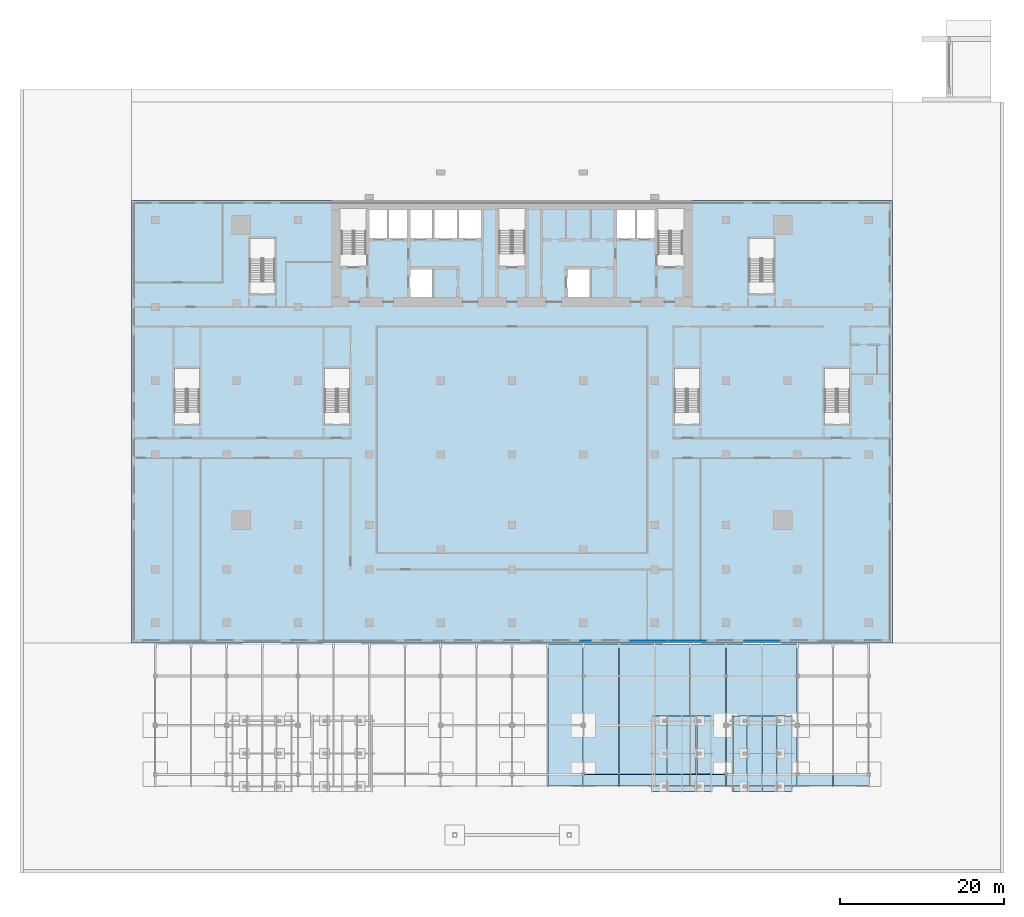
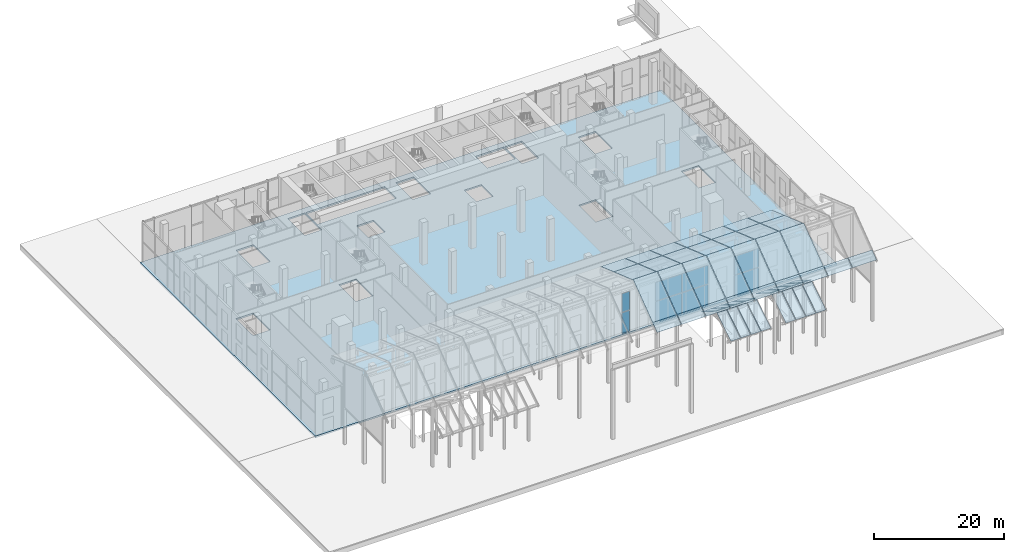
# One storey, part 18 of 31: 54 plates, 1 slab, 3 elements without a shape of their own.
"""IFC4 building model written with IfcOpenShell, lengths in metres."""

from ifc_helpers import new_model, si_unit, direction, frame, origin, origin_2d, place, context, subcontext, project, spatial, polyline, rectangle, outline, extrude, material, layer, layer_set, type_object, element, aggregate, save


model = new_model("IFC4")

# Units and contexts
model_context = context("Model", 3, precision=1e-05, world=origin(), true_north=direction((0.0, 1.0)))
body_context = subcontext(model_context, "Body", "Model", "MODEL_VIEW")
ifc_project = project(units=[si_unit("LENGTHUNIT", "METRE"), si_unit("AREAUNIT", "SQUARE_METRE"), si_unit("VOLUMEUNIT", "CUBIC_METRE"), si_unit("PLANEANGLEUNIT", "RADIAN"), si_unit("MASSUNIT", "GRAM", prefix="KILO")], contexts=[model_context])

# Site, building, storey
site_placement = place(None, origin())
site = spatial("IfcSite", under=ifc_project, at=site_placement, CompositionType="ELEMENT")
building_placement = place(site_placement, origin())
building = spatial("IfcBuilding", under=site, at=building_placement, Name="Bicima Exchange Tower", CompositionType="ELEMENT")
storey_placement = place(building_placement, origin())
storey = spatial("IfcBuildingStorey", under=building, at=storey_placement, Name="L00", CompositionType="ELEMENT", Elevation=0.0)

# Curtain wall, plates
ifc_material_1 = material(Name="Stainless steel", Category="steel")
curtain_wall_type = type_object("IfcCurtainWallType", Name="Hall structural glazing", PredefinedType="NOTDEFINED", material=ifc_material_1)
curtain_wall_1_placement = place(storey_placement, origin())
curtain_wall_1 = element("IfcCurtainWall", 1, at=curtain_wall_1_placement, inside=storey, type_object=curtain_wall_type, Name="Podium glazing L00 south 14", PredefinedType="NOTDEFINED")
ifc_material_2 = material(Name="Clear low-iron glass", Category="glass")
ifc_layer_1 = layer(ifc_material_2, 0.0439453125)
ifc_layer_set_1 = layer_set([ifc_layer_1], Name="Clear low-iron glass")
plate_type_1 = type_object("IfcPlateType", Name="Hall structural glazing glass panel 44", PredefinedType="CURTAIN_PANEL", material=ifc_layer_set_1)
plate_1_placement = place(storey_placement, frame((9.0, -53.699951171875, 0.0), z_axis=(0.0, 0.0, 1.0), x_axis=(1.0, 0.0, 0.0)))
plate_1 = element("IfcPlate", 2, at=plate_1_placement, type_object=plate_type_1, Name="Hall structural glazing panel 1.1", PredefinedType="CURTAIN_PANEL", context=body_context, shape_type="SweptSolid", body=[
    extrude(rectangle(XDim=1.340087890625, YDim=0.0439453125, at=origin_2d()), origin(), (0.0, 0.0, 1.0), 3.89990234375),
])
plate_2_placement = place(storey_placement, frame((9.0, -53.699951171875, 4.0), z_axis=(0.0, 0.0, 1.0), x_axis=(1.0, 0.0, 0.0)))
plate_2 = element("IfcPlate", 3, at=plate_2_placement, type_object=plate_type_1, Name="Hall structural glazing panel 1.2", PredefinedType="CURTAIN_PANEL", context=body_context, shape_type="SweptSolid", body=[
    extrude(rectangle(XDim=1.340087890625, YDim=0.0439453125, at=origin_2d()), origin(), (0.0, 0.0, 1.0), 3.5),
])
aggregate(curtain_wall_1, [plate_1, plate_2])

curtain_wall_2_placement = place(storey_placement, origin())
curtain_wall_2 = element("IfcCurtainWall", 4, at=curtain_wall_2_placement, inside=storey, type_object=curtain_wall_type, Name="Podium glazing L00 south 16", PredefinedType="NOTDEFINED")
plate_3_placement = place(storey_placement, frame((16.64501953125, -53.699951171875, 0.0), z_axis=(0.0, 0.0, 1.0), x_axis=(1.0, 0.0, 0.0)))
plate_3 = element("IfcPlate", 5, at=plate_3_placement, type_object=plate_type_1, Name="Hall structural glazing panel 1.1", PredefinedType="CURTAIN_PANEL", context=body_context, shape_type="SweptSolid", body=[
    extrude(rectangle(XDim=4.6298828125, YDim=0.0439453125, at=origin_2d()), origin(), (0.0, 0.0, 1.0), 3.89990234375),
])
plate_4_placement = place(storey_placement, frame((16.64501953125, -53.699951171875, 4.0), z_axis=(0.0, 0.0, 1.0), x_axis=(1.0, 0.0, 0.0)))
plate_4 = element("IfcPlate", 6, at=plate_4_placement, type_object=plate_type_1, Name="Hall structural glazing panel 1.2", PredefinedType="CURTAIN_PANEL", context=body_context, shape_type="SweptSolid", body=[
    extrude(rectangle(XDim=4.6298828125, YDim=0.0439453125, at=origin_2d()), origin(), (0.0, 0.0, 1.0), 3.5),
])
plate_5_placement = place(storey_placement, frame((21.35498046875, -53.699951171875, 0.0), z_axis=(0.0, 0.0, 1.0), x_axis=(1.0, 0.0, 0.0)))
plate_5 = element("IfcPlate", 7, at=plate_5_placement, type_object=plate_type_1, Name="Hall structural glazing panel 2.1", PredefinedType="CURTAIN_PANEL", context=body_context, shape_type="SweptSolid", body=[
    extrude(rectangle(XDim=4.6298828125, YDim=0.0439453125, at=origin_2d()), origin(), (0.0, 0.0, 1.0), 3.89990234375),
])
plate_6_placement = place(storey_placement, frame((21.35498046875, -53.699951171875, 4.0), z_axis=(0.0, 0.0, 1.0), x_axis=(1.0, 0.0, 0.0)))
plate_6 = element("IfcPlate", 8, at=plate_6_placement, type_object=plate_type_1, Name="Hall structural glazing panel 2.2", PredefinedType="CURTAIN_PANEL", context=body_context, shape_type="SweptSolid", body=[
    extrude(rectangle(XDim=4.6298828125, YDim=0.0439453125, at=origin_2d()), origin(), (0.0, 0.0, 1.0), 3.5),
])
aggregate(curtain_wall_2, [plate_3, plate_4, plate_5, plate_6])

curtain_wall_3_placement = place(storey_placement, origin())
curtain_wall_3 = element("IfcCurtainWall", 9, at=curtain_wall_3_placement, inside=storey, type_object=curtain_wall_type, Name="Podium glazing L00 south 18", PredefinedType="NOTDEFINED")
plate_7_placement = place(storey_placement, frame((30.5, -53.699951171875, 0.0), z_axis=(0.0, 0.0, 1.0), x_axis=(1.0, 0.0, 0.0)))
plate_7 = element("IfcPlate", 10, at=plate_7_placement, type_object=plate_type_1, Name="Hall structural glazing panel 1.1", PredefinedType="CURTAIN_PANEL", context=body_context, shape_type="SweptSolid", body=[
    extrude(rectangle(XDim=4.340087890625, YDim=0.0439453125, at=origin_2d()), origin(), (0.0, 0.0, 1.0), 3.89990234375),
])
plate_8_placement = place(storey_placement, frame((30.5, -53.699951171875, 4.0), z_axis=(0.0, 0.0, 1.0), x_axis=(1.0, 0.0, 0.0)))
plate_8 = element("IfcPlate", 11, at=plate_8_placement, type_object=plate_type_1, Name="Hall structural glazing panel 1.2", PredefinedType="CURTAIN_PANEL", context=body_context, shape_type="SweptSolid", body=[
    extrude(rectangle(XDim=4.340087890625, YDim=0.0439453125, at=origin_2d()), origin(), (0.0, 0.0, 1.0), 3.5),
])
aggregate(curtain_wall_3, [plate_7, plate_8])

# Plates
ifc_material_3 = material(Name="Bronze tinted glass", Category="glass")
ifc_layer_2 = layer(ifc_material_3, 0.035888671875)
ifc_layer_set_2 = layer_set([ifc_layer_2], Name="Bronze tinted glass")
plate_type_2 = type_object("IfcPlateType", Name="Portico roof glass 36", PredefinedType="SHEET", material=ifc_layer_set_2)
plate_9_placement = place(storey_placement, frame((4.389892578125, -54.10009765625, 14.251708984375), z_axis=(0.0, 0.329091475255, 0.944298046654), x_axis=(1.0, 0.0, 0.0)))
element("IfcPlate", 12, at=plate_9_placement, inside=storey, type_object=plate_type_2, Name="Portico roof glass", PredefinedType="SHEET", context=body_context, shape_type="SweptSolid", body=[
    extrude(outline(polyline([(0.0, 0.0), (4.27001953125, 0.0), (4.27001953125, -4.129948544920647), (0.0, -4.129948544920647), (0.0, 0.0)])), origin(), (0.0, 0.0, -1.0), 0.035888671875),
])
plate_10_placement = place(storey_placement, frame((4.389892578125, -58.0, 15.61083984375), z_axis=(0.0, 0.329165826501, 0.944272131678), x_axis=(1.0, 0.0, 0.0)))
element("IfcPlate", 13, at=plate_10_placement, inside=storey, type_object=plate_type_2, Name="Portico roof glass", PredefinedType="SHEET", context=body_context, shape_type="SweptSolid", body=[
    extrude(outline(polyline([(0.0, 0.0), (4.27001953125, 0.0), (4.27001953125, -6.3541004745496075), (0.0, -6.3541004745496075), (0.0, 0.0)])), origin(), (0.0, 0.0, -1.0), 0.035888671875),
])
plate_11_placement = place(storey_placement, frame((4.389892578125, -64.0, 17.82568359375), z_axis=(0.0, -0.598685075309, 0.800984507093), x_axis=(1.0, 0.0, 0.0)))
element("IfcPlate", 14, at=plate_11_placement, inside=storey, type_object=plate_type_2, Name="Portico roof glass", PredefinedType="SHEET", context=body_context, shape_type="SweptSolid", body=[
    extrude(outline(polyline([(0.0, 0.0), (4.27001953125, 0.0), (4.27001953125, -7.490781590492418), (0.0, -7.490781590492418), (0.0, 0.0)])), origin(), (0.0, 0.0, -1.0), 0.035888671875),
])
plate_12_placement = place(storey_placement, frame((4.389892578125, -70.0, 13.341064453125), z_axis=(0.0, -0.598792513657, 0.800904192515), x_axis=(1.0, 0.0, 0.0)))
element("IfcPlate", 15, at=plate_12_placement, inside=storey, type_object=plate_type_2, Name="Portico roof glass", PredefinedType="SHEET", context=body_context, shape_type="SweptSolid", body=[
    extrude(outline(polyline([(0.0, 0.0), (4.27001953125, 0.0), (4.27001953125, -1.7479023793772908), (0.0, -1.7479023793772908), (0.0, 0.0)])), origin(), (0.0, 0.0, -1.0), 0.035888671875),
])
plate_13_placement = place(storey_placement, frame((8.739990234375, -54.10009765625, 14.251708984375), z_axis=(0.0, 0.329091475255, 0.944298046654), x_axis=(1.0, 0.0, 0.0)))
element("IfcPlate", 16, at=plate_13_placement, inside=storey, type_object=plate_type_2, Name="Portico roof glass", PredefinedType="SHEET", context=body_context, shape_type="SweptSolid", body=[
    extrude(outline(polyline([(0.0, 0.0), (4.27001953125, 0.0), (4.27001953125, -4.129948544920647), (0.0, -4.129948544920647), (0.0, 0.0)])), origin(), (0.0, 0.0, -1.0), 0.035888671875),
])
plate_14_placement = place(storey_placement, frame((8.739990234375, -58.0, 15.61083984375), z_axis=(0.0, 0.329165826501, 0.944272131678), x_axis=(1.0, 0.0, 0.0)))
element("IfcPlate", 17, at=plate_14_placement, inside=storey, type_object=plate_type_2, Name="Portico roof glass", PredefinedType="SHEET", context=body_context, shape_type="SweptSolid", body=[
    extrude(outline(polyline([(0.0, 0.0), (4.27001953125, 0.0), (4.27001953125, -6.3541004745496075), (0.0, -6.3541004745496075), (0.0, 0.0)])), origin(), (0.0, 0.0, -1.0), 0.035888671875),
])
plate_15_placement = place(storey_placement, frame((8.739990234375, -64.0, 17.82568359375), z_axis=(0.0, -0.598685075309, 0.800984507093), x_axis=(1.0, 0.0, 0.0)))
element("IfcPlate", 18, at=plate_15_placement, inside=storey, type_object=plate_type_2, Name="Portico roof glass", PredefinedType="SHEET", context=body_context, shape_type="SweptSolid", body=[
    extrude(outline(polyline([(0.0, 0.0), (4.27001953125, 0.0), (4.27001953125, -7.490781590492418), (0.0, -7.490781590492418), (0.0, 0.0)])), origin(), (0.0, 0.0, -1.0), 0.035888671875),
])
plate_16_placement = place(storey_placement, frame((8.739990234375, -70.0, 13.341064453125), z_axis=(0.0, -0.598792513657, 0.800904192515), x_axis=(1.0, 0.0, 0.0)))
element("IfcPlate", 19, at=plate_16_placement, inside=storey, type_object=plate_type_2, Name="Portico roof glass", PredefinedType="SHEET", context=body_context, shape_type="SweptSolid", body=[
    extrude(outline(polyline([(0.0, 0.0), (4.27001953125, 0.0), (4.27001953125, -1.7479023793772908), (0.0, -1.7479023793772908), (0.0, 0.0)])), origin(), (0.0, 0.0, -1.0), 0.035888671875),
])
plate_17_placement = place(storey_placement, frame((13.090087890625, -54.10009765625, 14.251708984375), z_axis=(0.0, 0.329091475255, 0.944298046654), x_axis=(1.0, 0.0, 0.0)))
element("IfcPlate", 20, at=plate_17_placement, inside=storey, type_object=plate_type_2, Name="Portico roof glass", PredefinedType="SHEET", context=body_context, shape_type="SweptSolid", body=[
    extrude(outline(polyline([(0.0, 0.0), (4.27001953125, 0.0), (4.27001953125, -4.129948544920647), (0.0, -4.129948544920647), (0.0, 0.0)])), origin(), (0.0, 0.0, -1.0), 0.035888671875),
])
plate_18_placement = place(storey_placement, frame((13.090087890625, -58.0, 15.61083984375), z_axis=(0.0, 0.329165826501, 0.944272131678), x_axis=(1.0, 0.0, 0.0)))
element("IfcPlate", 21, at=plate_18_placement, inside=storey, type_object=plate_type_2, Name="Portico roof glass", PredefinedType="SHEET", context=body_context, shape_type="SweptSolid", body=[
    extrude(outline(polyline([(0.0, 0.0), (4.27001953125, 0.0), (4.27001953125, -6.3541004745496075), (0.0, -6.3541004745496075), (0.0, 0.0)])), origin(), (0.0, 0.0, -1.0), 0.035888671875),
])
plate_19_placement = place(storey_placement, frame((13.090087890625, -64.0, 17.82568359375), z_axis=(0.0, -0.598685075309, 0.800984507093), x_axis=(1.0, 0.0, 0.0)))
element("IfcPlate", 22, at=plate_19_placement, inside=storey, type_object=plate_type_2, Name="Portico roof glass", PredefinedType="SHEET", context=body_context, shape_type="SweptSolid", body=[
    extrude(outline(polyline([(0.0, 0.0), (4.27001953125, 0.0), (4.27001953125, -7.490781590492418), (0.0, -7.490781590492418), (0.0, 0.0)])), origin(), (0.0, 0.0, -1.0), 0.035888671875),
])
plate_20_placement = place(storey_placement, frame((13.090087890625, -70.0, 13.341064453125), z_axis=(0.0, -0.598792513657, 0.800904192515), x_axis=(1.0, 0.0, 0.0)))
element("IfcPlate", 23, at=plate_20_placement, inside=storey, type_object=plate_type_2, Name="Portico roof glass", PredefinedType="SHEET", context=body_context, shape_type="SweptSolid", body=[
    extrude(outline(polyline([(0.0, 0.0), (4.27001953125, 0.0), (4.27001953125, -1.7479023793772908), (0.0, -1.7479023793772908), (0.0, 0.0)])), origin(), (0.0, 0.0, -1.0), 0.035888671875),
])
plate_21_placement = place(storey_placement, frame((17.43994140625, -54.10009765625, 14.251708984375), z_axis=(0.0, 0.329091475255, 0.944298046654), x_axis=(1.0, 0.0, 0.0)))
element("IfcPlate", 24, at=plate_21_placement, inside=storey, type_object=plate_type_2, Name="Portico roof glass", PredefinedType="SHEET", context=body_context, shape_type="SweptSolid", body=[
    extrude(outline(polyline([(0.0, 0.0), (4.27001953125, 0.0), (4.27001953125, -4.129948544920647), (0.0, -4.129948544920647), (0.0, 0.0)])), origin(), (0.0, 0.0, -1.0), 0.035888671875),
])
plate_22_placement = place(storey_placement, frame((17.43994140625, -58.0, 15.61083984375), z_axis=(0.0, 0.329165826501, 0.944272131678), x_axis=(1.0, 0.0, 0.0)))
element("IfcPlate", 25, at=plate_22_placement, inside=storey, type_object=plate_type_2, Name="Portico roof glass", PredefinedType="SHEET", context=body_context, shape_type="SweptSolid", body=[
    extrude(outline(polyline([(0.0, 0.0), (4.27001953125, 0.0), (4.27001953125, -6.3541004745496075), (0.0, -6.3541004745496075), (0.0, 0.0)])), origin(), (0.0, 0.0, -1.0), 0.035888671875),
])
plate_23_placement = place(storey_placement, frame((17.43994140625, -64.0, 17.82568359375), z_axis=(0.0, -0.598685075309, 0.800984507093), x_axis=(1.0, 0.0, 0.0)))
element("IfcPlate", 26, at=plate_23_placement, inside=storey, type_object=plate_type_2, Name="Portico roof glass", PredefinedType="SHEET", context=body_context, shape_type="SweptSolid", body=[
    extrude(outline(polyline([(0.0, 0.0), (4.27001953125, 0.0), (4.27001953125, -7.490781590492418), (0.0, -7.490781590492418), (0.0, 0.0)])), origin(), (0.0, 0.0, -1.0), 0.035888671875),
])
plate_24_placement = place(storey_placement, frame((17.43994140625, -70.0, 13.341064453125), z_axis=(0.0, -0.598792513657, 0.800904192515), x_axis=(1.0, 0.0, 0.0)))
element("IfcPlate", 27, at=plate_24_placement, inside=storey, type_object=plate_type_2, Name="Portico roof glass", PredefinedType="SHEET", context=body_context, shape_type="SweptSolid", body=[
    extrude(outline(polyline([(0.0, 0.0), (4.27001953125, 0.0), (4.27001953125, -1.7479023793772908), (0.0, -1.7479023793772908), (0.0, 0.0)])), origin(), (0.0, 0.0, -1.0), 0.035888671875),
])
plate_25_placement = place(storey_placement, frame((21.7900390625, -54.10009765625, 14.251708984375), z_axis=(0.0, 0.329091475255, 0.944298046654), x_axis=(1.0, 0.0, 0.0)))
element("IfcPlate", 28, at=plate_25_placement, inside=storey, type_object=plate_type_2, Name="Portico roof glass", PredefinedType="SHEET", context=body_context, shape_type="SweptSolid", body=[
    extrude(outline(polyline([(0.0, 0.0), (4.27001953125, 0.0), (4.27001953125, -4.129948544920647), (0.0, -4.129948544920647), (0.0, 0.0)])), origin(), (0.0, 0.0, -1.0), 0.035888671875),
])
plate_26_placement = place(storey_placement, frame((21.7900390625, -58.0, 15.61083984375), z_axis=(0.0, 0.329165826501, 0.944272131678), x_axis=(1.0, 0.0, 0.0)))
element("IfcPlate", 29, at=plate_26_placement, inside=storey, type_object=plate_type_2, Name="Portico roof glass", PredefinedType="SHEET", context=body_context, shape_type="SweptSolid", body=[
    extrude(outline(polyline([(0.0, 0.0), (4.27001953125, 0.0), (4.27001953125, -6.3541004745496075), (0.0, -6.3541004745496075), (0.0, 0.0)])), origin(), (0.0, 0.0, -1.0), 0.035888671875),
])
plate_27_placement = place(storey_placement, frame((21.7900390625, -64.0, 17.82568359375), z_axis=(0.0, -0.598685075309, 0.800984507093), x_axis=(1.0, 0.0, 0.0)))
element("IfcPlate", 30, at=plate_27_placement, inside=storey, type_object=plate_type_2, Name="Portico roof glass", PredefinedType="SHEET", context=body_context, shape_type="SweptSolid", body=[
    extrude(outline(polyline([(0.0, 0.0), (4.27001953125, 0.0), (4.27001953125, -7.490781590492418), (0.0, -7.490781590492418), (0.0, 0.0)])), origin(), (0.0, 0.0, -1.0), 0.035888671875),
])
plate_28_placement = place(storey_placement, frame((21.7900390625, -70.0, 13.341064453125), z_axis=(0.0, -0.598792513657, 0.800904192515), x_axis=(1.0, 0.0, 0.0)))
element("IfcPlate", 31, at=plate_28_placement, inside=storey, type_object=plate_type_2, Name="Portico roof glass", PredefinedType="SHEET", context=body_context, shape_type="SweptSolid", body=[
    extrude(outline(polyline([(0.0, 0.0), (4.27001953125, 0.0), (4.27001953125, -1.7479023793772908), (0.0, -1.7479023793772908), (0.0, 0.0)])), origin(), (0.0, 0.0, -1.0), 0.035888671875),
])
plate_29_placement = place(storey_placement, frame((26.139892578125, -54.10009765625, 14.251708984375), z_axis=(0.0, 0.329091475255, 0.944298046654), x_axis=(1.0, 0.0, 0.0)))
element("IfcPlate", 32, at=plate_29_placement, inside=storey, type_object=plate_type_2, Name="Portico roof glass", PredefinedType="SHEET", context=body_context, shape_type="SweptSolid", body=[
    extrude(outline(polyline([(0.0, 0.0), (4.27001953125, 0.0), (4.27001953125, -4.129948544920647), (0.0, -4.129948544920647), (0.0, 0.0)])), origin(), (0.0, 0.0, -1.0), 0.035888671875),
])
plate_30_placement = place(storey_placement, frame((26.139892578125, -58.0, 15.61083984375), z_axis=(0.0, 0.329165826501, 0.944272131678), x_axis=(1.0, 0.0, 0.0)))
element("IfcPlate", 33, at=plate_30_placement, inside=storey, type_object=plate_type_2, Name="Portico roof glass", PredefinedType="SHEET", context=body_context, shape_type="SweptSolid", body=[
    extrude(outline(polyline([(0.0, 0.0), (4.27001953125, 0.0), (4.27001953125, -6.3541004745496075), (0.0, -6.3541004745496075), (0.0, 0.0)])), origin(), (0.0, 0.0, -1.0), 0.035888671875),
])
plate_31_placement = place(storey_placement, frame((26.139892578125, -64.0, 17.82568359375), z_axis=(0.0, -0.598685075309, 0.800984507093), x_axis=(1.0, 0.0, 0.0)))
element("IfcPlate", 34, at=plate_31_placement, inside=storey, type_object=plate_type_2, Name="Portico roof glass", PredefinedType="SHEET", context=body_context, shape_type="SweptSolid", body=[
    extrude(outline(polyline([(0.0, 0.0), (4.27001953125, 0.0), (4.27001953125, -7.490781590492418), (0.0, -7.490781590492418), (0.0, 0.0)])), origin(), (0.0, 0.0, -1.0), 0.035888671875),
])
plate_32_placement = place(storey_placement, frame((26.139892578125, -70.0, 13.341064453125), z_axis=(0.0, -0.598792513657, 0.800904192515), x_axis=(1.0, 0.0, 0.0)))
element("IfcPlate", 35, at=plate_32_placement, inside=storey, type_object=plate_type_2, Name="Portico roof glass", PredefinedType="SHEET", context=body_context, shape_type="SweptSolid", body=[
    extrude(outline(polyline([(0.0, 0.0), (4.27001953125, 0.0), (4.27001953125, -1.7479023793772908), (0.0, -1.7479023793772908), (0.0, 0.0)])), origin(), (0.0, 0.0, -1.0), 0.035888671875),
])
plate_33_placement = place(storey_placement, frame((30.489990234375, -54.10009765625, 14.251708984375), z_axis=(0.0, 0.329091475255, 0.944298046654), x_axis=(1.0, 0.0, 0.0)))
element("IfcPlate", 36, at=plate_33_placement, inside=storey, type_object=plate_type_2, Name="Portico roof glass", PredefinedType="SHEET", context=body_context, shape_type="SweptSolid", body=[
    extrude(outline(polyline([(0.0, 0.0), (4.27001953125, 0.0), (4.27001953125, -4.129948544920647), (0.0, -4.129948544920647), (0.0, 0.0)])), origin(), (0.0, 0.0, -1.0), 0.035888671875),
])
plate_34_placement = place(storey_placement, frame((30.489990234375, -58.0, 15.61083984375), z_axis=(0.0, 0.329165826501, 0.944272131678), x_axis=(1.0, 0.0, 0.0)))
element("IfcPlate", 37, at=plate_34_placement, inside=storey, type_object=plate_type_2, Name="Portico roof glass", PredefinedType="SHEET", context=body_context, shape_type="SweptSolid", body=[
    extrude(outline(polyline([(0.0, 0.0), (4.27001953125, 0.0), (4.27001953125, -6.3541004745496075), (0.0, -6.3541004745496075), (0.0, 0.0)])), origin(), (0.0, 0.0, -1.0), 0.035888671875),
])
plate_35_placement = place(storey_placement, frame((30.489990234375, -64.0, 17.82568359375), z_axis=(0.0, -0.598685075309, 0.800984507093), x_axis=(1.0, 0.0, 0.0)))
element("IfcPlate", 38, at=plate_35_placement, inside=storey, type_object=plate_type_2, Name="Portico roof glass", PredefinedType="SHEET", context=body_context, shape_type="SweptSolid", body=[
    extrude(outline(polyline([(0.0, 0.0), (4.27001953125, 0.0), (4.27001953125, -7.490781590492418), (0.0, -7.490781590492418), (0.0, 0.0)])), origin(), (0.0, 0.0, -1.0), 0.035888671875),
])
for number, where, z_axis, x_axis, name in (
    (39, (30.489990234375, -70.0, 13.341064453125), (0.0, -0.598792513657, 0.800904192515), (1.0, 0.0, 0.0), "Portico roof glass"),
    (40, (34.840087890625, -70.0, 13.341064453125), (0.0, -0.598792513657, 0.800904192515), (1.0, 0.0, 0.0), "Portico roof glass"),
    (41, (39.18994140625, -70.0, 13.341064453125), (0.0, -0.598792513657, 0.800904192515), (1.0, 0.0, 0.0), "Portico roof glass"),
):
    element("IfcPlate", number, at=place(storey_placement, frame(where, z_axis=z_axis, x_axis=x_axis)), inside=storey, type_object=plate_type_2, Name=name, PredefinedType="SHEET", context=body_context, shape_type="SweptSolid", body=[
        extrude(outline(polyline([(0.0, 0.0), (4.27001953125, 0.0), (4.27001953125, -1.7479023793772908), (0.0, -1.7479023793772908), (0.0, 0.0)])), origin(), (0.0, 0.0, -1.0), 0.035888671875),
    ])
plate_36_placement = place(storey_placement, frame((17.139892578125, -62.860107421875, 6.591552734375), z_axis=(0.0, 0.529937998494, 0.848036389403), x_axis=(1.0, 0.0, 0.0)))
element("IfcPlate", 42, at=plate_36_placement, inside=storey, type_object=plate_type_2, Name="Pavilion roof glass", PredefinedType="SHEET", context=body_context, shape_type="SweptSolid", body=[
    extrude(outline(polyline([(0.0, 0.0), (1.72021484375, 0.0), (1.72021484375, -5.4016674332803065), (0.0, -5.4016674332803065), (0.0, 0.0)])), origin(), (0.0, 0.0, -1.0), 0.035888671875),
])
plate_37_placement = place(storey_placement, frame((17.139892578125, -67.47900390625, 9.4541015625), z_axis=(0.0, -0.529917687164, 0.848049081616), x_axis=(1.0, 0.0, 0.0)))
element("IfcPlate", 43, at=plate_37_placement, inside=storey, type_object=plate_type_2, Name="Pavilion roof glass", PredefinedType="SHEET", context=body_context, shape_type="SweptSolid", body=[
    extrude(outline(polyline([(0.0, 0.0), (1.72021484375, 0.0), (1.72021484375, -5.40187447496381), (0.0, -5.40187447496381), (0.0, 0.0)])), origin(), (0.0, 0.0, -1.0), 0.035888671875),
])
plate_38_placement = place(storey_placement, frame((18.93994140625, -62.860107421875, 6.591552734375), z_axis=(0.0, 0.529937998494, 0.848036389403), x_axis=(1.0, 0.0, 0.0)))
element("IfcPlate", 44, at=plate_38_placement, inside=storey, type_object=plate_type_2, Name="Pavilion roof glass", PredefinedType="SHEET", context=body_context, shape_type="SweptSolid", body=[
    extrude(outline(polyline([(0.0, 0.0), (1.719970703125, 0.0), (1.719970703125, -5.4016674332803065), (0.0, -5.4016674332803065), (0.0, 0.0)])), origin(), (0.0, 0.0, -1.0), 0.035888671875),
])
plate_39_placement = place(storey_placement, frame((18.93994140625, -67.47900390625, 9.4541015625), z_axis=(0.0, -0.529917687164, 0.848049081616), x_axis=(1.0, 0.0, 0.0)))
element("IfcPlate", 45, at=plate_39_placement, inside=storey, type_object=plate_type_2, Name="Pavilion roof glass", PredefinedType="SHEET", context=body_context, shape_type="SweptSolid", body=[
    extrude(outline(polyline([(0.0, 0.0), (1.719970703125, 0.0), (1.719970703125, -5.40187447496381), (0.0, -5.40187447496381), (0.0, 0.0)])), origin(), (0.0, 0.0, -1.0), 0.035888671875),
])
plate_40_placement = place(storey_placement, frame((20.739990234375, -62.860107421875, 6.591552734375), z_axis=(0.0, 0.529937998494, 0.848036389403), x_axis=(1.0, 0.0, 0.0)))
element("IfcPlate", 46, at=plate_40_placement, inside=storey, type_object=plate_type_2, Name="Pavilion roof glass", PredefinedType="SHEET", context=body_context, shape_type="SweptSolid", body=[
    extrude(outline(polyline([(0.0, 0.0), (1.719970703125, 0.0), (1.719970703125, -5.4016674332803065), (0.0, -5.4016674332803065), (0.0, 0.0)])), origin(), (0.0, 0.0, -1.0), 0.035888671875),
])
plate_41_placement = place(storey_placement, frame((20.739990234375, -67.47900390625, 9.4541015625), z_axis=(0.0, -0.529917687164, 0.848049081616), x_axis=(1.0, 0.0, 0.0)))
element("IfcPlate", 47, at=plate_41_placement, inside=storey, type_object=plate_type_2, Name="Pavilion roof glass", PredefinedType="SHEET", context=body_context, shape_type="SweptSolid", body=[
    extrude(outline(polyline([(0.0, 0.0), (1.719970703125, 0.0), (1.719970703125, -5.40187447496381), (0.0, -5.40187447496381), (0.0, 0.0)])), origin(), (0.0, 0.0, -1.0), 0.035888671875),
])
plate_42_placement = place(storey_placement, frame((22.5400390625, -62.860107421875, 6.591552734375), z_axis=(0.0, 0.529937998494, 0.848036389403), x_axis=(1.0, 0.0, 0.0)))
element("IfcPlate", 48, at=plate_42_placement, inside=storey, type_object=plate_type_2, Name="Pavilion roof glass", PredefinedType="SHEET", context=body_context, shape_type="SweptSolid", body=[
    extrude(outline(polyline([(0.0, 0.0), (1.719970703125, 0.0), (1.719970703125, -5.4016674332803065), (0.0, -5.4016674332803065), (0.0, 0.0)])), origin(), (0.0, 0.0, -1.0), 0.035888671875),
])
plate_43_placement = place(storey_placement, frame((22.5400390625, -67.47900390625, 9.4541015625), z_axis=(0.0, -0.529917687164, 0.848049081616), x_axis=(1.0, 0.0, 0.0)))
element("IfcPlate", 49, at=plate_43_placement, inside=storey, type_object=plate_type_2, Name="Pavilion roof glass", PredefinedType="SHEET", context=body_context, shape_type="SweptSolid", body=[
    extrude(outline(polyline([(0.0, 0.0), (1.719970703125, 0.0), (1.719970703125, -5.40187447496381), (0.0, -5.40187447496381), (0.0, 0.0)])), origin(), (0.0, 0.0, -1.0), 0.035888671875),
])
plate_44_placement = place(storey_placement, frame((26.93994140625, -62.860107421875, 6.591552734375), z_axis=(0.0, 0.529937998494, 0.848036389403), x_axis=(1.0, 0.0, 0.0)))
element("IfcPlate", 50, at=plate_44_placement, inside=storey, type_object=plate_type_2, Name="Pavilion roof glass", PredefinedType="SHEET", context=body_context, shape_type="SweptSolid", body=[
    extrude(outline(polyline([(0.0, 0.0), (1.719970703125, 0.0), (1.719970703125, -5.4016674332803065), (0.0, -5.4016674332803065), (0.0, 0.0)])), origin(), (0.0, 0.0, -1.0), 0.035888671875),
])
plate_45_placement = place(storey_placement, frame((26.93994140625, -67.47900390625, 9.4541015625), z_axis=(0.0, -0.529917687164, 0.848049081616), x_axis=(1.0, 0.0, 0.0)))
element("IfcPlate", 51, at=plate_45_placement, inside=storey, type_object=plate_type_2, Name="Pavilion roof glass", PredefinedType="SHEET", context=body_context, shape_type="SweptSolid", body=[
    extrude(outline(polyline([(0.0, 0.0), (1.719970703125, 0.0), (1.719970703125, -5.40187447496381), (0.0, -5.40187447496381), (0.0, 0.0)])), origin(), (0.0, 0.0, -1.0), 0.035888671875),
])
plate_46_placement = place(storey_placement, frame((28.739990234375, -62.860107421875, 6.591552734375), z_axis=(0.0, 0.529937998494, 0.848036389403), x_axis=(1.0, 0.0, 0.0)))
element("IfcPlate", 52, at=plate_46_placement, inside=storey, type_object=plate_type_2, Name="Pavilion roof glass", PredefinedType="SHEET", context=body_context, shape_type="SweptSolid", body=[
    extrude(outline(polyline([(0.0, 0.0), (1.719970703125, 0.0), (1.719970703125, -5.4016674332803065), (0.0, -5.4016674332803065), (0.0, 0.0)])), origin(), (0.0, 0.0, -1.0), 0.035888671875),
])
plate_47_placement = place(storey_placement, frame((28.739990234375, -67.47900390625, 9.4541015625), z_axis=(0.0, -0.529917687164, 0.848049081616), x_axis=(1.0, 0.0, 0.0)))
element("IfcPlate", 53, at=plate_47_placement, inside=storey, type_object=plate_type_2, Name="Pavilion roof glass", PredefinedType="SHEET", context=body_context, shape_type="SweptSolid", body=[
    extrude(outline(polyline([(0.0, 0.0), (1.719970703125, 0.0), (1.719970703125, -5.40187447496381), (0.0, -5.40187447496381), (0.0, 0.0)])), origin(), (0.0, 0.0, -1.0), 0.035888671875),
])
plate_48_placement = place(storey_placement, frame((30.5400390625, -62.860107421875, 6.591552734375), z_axis=(0.0, 0.529937998494, 0.848036389403), x_axis=(1.0, 0.0, 0.0)))
element("IfcPlate", 54, at=plate_48_placement, inside=storey, type_object=plate_type_2, Name="Pavilion roof glass", PredefinedType="SHEET", context=body_context, shape_type="SweptSolid", body=[
    extrude(outline(polyline([(0.0, 0.0), (1.719970703125, 0.0), (1.719970703125, -5.4016674332803065), (0.0, -5.4016674332803065), (0.0, 0.0)])), origin(), (0.0, 0.0, -1.0), 0.035888671875),
])
plate_49_placement = place(storey_placement, frame((30.5400390625, -67.47900390625, 9.4541015625), z_axis=(0.0, -0.529917687164, 0.848049081616), x_axis=(1.0, 0.0, 0.0)))
element("IfcPlate", 55, at=plate_49_placement, inside=storey, type_object=plate_type_2, Name="Pavilion roof glass", PredefinedType="SHEET", context=body_context, shape_type="SweptSolid", body=[
    extrude(outline(polyline([(0.0, 0.0), (1.719970703125, 0.0), (1.719970703125, -5.40187447496381), (0.0, -5.40187447496381), (0.0, 0.0)])), origin(), (0.0, 0.0, -1.0), 0.035888671875),
])
plate_50_placement = place(storey_placement, frame((32.340087890625, -62.860107421875, 6.591552734375), z_axis=(0.0, 0.529937998494, 0.848036389403), x_axis=(1.0, 0.0, 0.0)))
element("IfcPlate", 56, at=plate_50_placement, inside=storey, type_object=plate_type_2, Name="Pavilion roof glass", PredefinedType="SHEET", context=body_context, shape_type="SweptSolid", body=[
    extrude(outline(polyline([(0.0, 0.0), (1.719970703125, 0.0), (1.719970703125, -5.4016674332803065), (0.0, -5.4016674332803065), (0.0, 0.0)])), origin(), (0.0, 0.0, -1.0), 0.035888671875),
])
plate_51_placement = place(storey_placement, frame((32.340087890625, -67.47900390625, 9.4541015625), z_axis=(0.0, -0.529917687164, 0.848049081616), x_axis=(1.0, 0.0, 0.0)))
element("IfcPlate", 57, at=plate_51_placement, inside=storey, type_object=plate_type_2, Name="Pavilion roof glass", PredefinedType="SHEET", context=body_context, shape_type="SweptSolid", body=[
    extrude(outline(polyline([(0.0, 0.0), (1.719970703125, 0.0), (1.719970703125, -5.40187447496381), (0.0, -5.40187447496381), (0.0, 0.0)])), origin(), (0.0, 0.0, -1.0), 0.035888671875),
])

# Slab
ifc_material_4 = material(Name="Concrete C40/50", Category="concrete")
ifc_layer_3 = layer(ifc_material_4, 0.300048828125)
ifc_layer_set_3 = layer_set([ifc_layer_3], Name="Concrete C40/50")
slab_type = type_object("IfcSlabType", Name="Reinforced concrete flat plate 300", PredefinedType="FLOOR", material=ifc_layer_set_3)
slab_placement = place(storey_placement, frame((0.0, 0.0, -0.300048828125)))
element("IfcSlab", 58, at=slab_placement, inside=storey, type_object=slab_type, Name="Floor slab", PredefinedType="FLOOR", context=body_context, shape_type="SweptSolid", body=[
    extrude(outline(polyline([(-46.39990234375, 0.0), (46.39990234375, 0.0), (46.39990234375, -54.0), (-46.39990234375, -54.0), (-46.39990234375, 0.0)]), holes=[polyline([(-41.175048828125, -25.72509765625), (-38.125, -25.72509765625), (-38.125, -20.52490234375), (-41.175048828125, -20.52490234375), (-41.175048828125, -25.72509765625)]), polyline([(-22.875, -25.72509765625), (-19.824951171875, -25.72509765625), (-19.824951171875, -20.52490234375), (-22.875, -20.52490234375), (-22.875, -25.72509765625)]), polyline([(-12.60009765625, -11.800048828125), (-9.60009765625, -11.800048828125), (-9.60009765625, -8.199951171875), (-12.60009765625, -8.199951171875), (-12.60009765625, -11.800048828125)]), polyline([(-31.97509765625, -9.824951171875), (-28.925048828125, -9.824951171875), (-28.925048828125, -4.625), (-31.97509765625, -4.625), (-31.97509765625, -9.824951171875)]), polyline([(-20.800048828125, -6.449951171875), (-17.800048828125, -6.449951171875), (-17.800048828125, -1.199951171875), (-20.800048828125, -1.199951171875), (-20.800048828125, -6.449951171875)]), polyline([(-17.60009765625, -1.199951171875), (-17.60009765625, -4.800048828125), (-15.10009765625, -4.800048828125), (-12.60009765625, -4.800048828125), (-9.60009765625, -4.800048828125), (-6.60009765625, -4.800048828125), (-3.60009765625, -4.800048828125), (-3.60009765625, -1.199951171875), (-6.60009765625, -1.199951171875), (-9.60009765625, -1.199951171875), (-12.60009765625, -1.199951171875), (-15.10009765625, -1.199951171875), (-17.60009765625, -1.199951171875)]), polyline([(19.824951171875, -25.72509765625), (22.875, -25.72509765625), (22.875, -20.52490234375), (19.824951171875, -20.52490234375), (19.824951171875, -25.72509765625)]), polyline([(38.125, -25.72509765625), (41.175048828125, -25.72509765625), (41.175048828125, -20.52490234375), (38.125, -20.52490234375), (38.125, -25.72509765625)]), polyline([(6.60009765625, -11.800048828125), (9.60009765625, -11.800048828125), (9.60009765625, -8.199951171875), (6.60009765625, -8.199951171875), (6.60009765625, -11.800048828125)]), polyline([(28.925048828125, -9.824951171875), (31.97509765625, -9.824951171875), (31.97509765625, -4.625), (28.925048828125, -4.625), (28.925048828125, -9.824951171875)]), polyline([(17.800048828125, -6.449951171875), (20.800048828125, -6.449951171875), (20.800048828125, -1.199951171875), (17.800048828125, -1.199951171875), (17.800048828125, -6.449951171875)]), polyline([(-1.574951171875, -6.39990234375), (1.574951171875, -6.39990234375), (1.574951171875, -1.199951171875), (-1.574951171875, -1.199951171875), (-1.574951171875, -6.39990234375)]), polyline([(15.10009765625, -4.800048828125), (17.60009765625, -4.800048828125), (17.60009765625, -1.199951171875), (15.10009765625, -1.199951171875), (12.60009765625, -1.199951171875), (12.60009765625, -4.800048828125), (15.10009765625, -4.800048828125)])]), origin(), (0.0, 0.0, 1.0), 0.300048828125),
])

save(model, "model.ifc")
